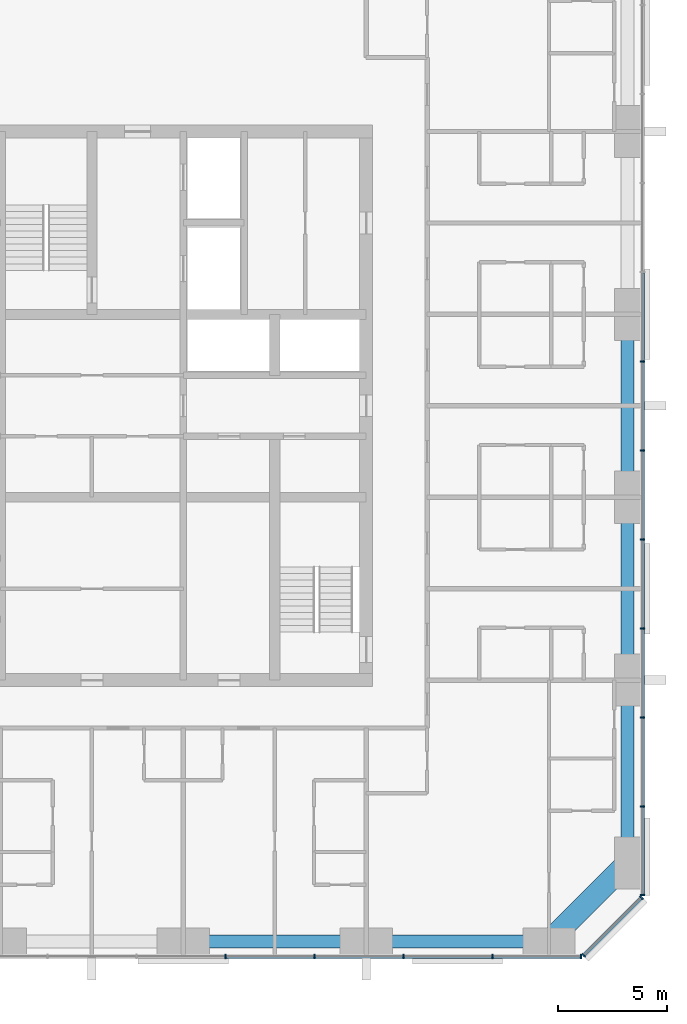
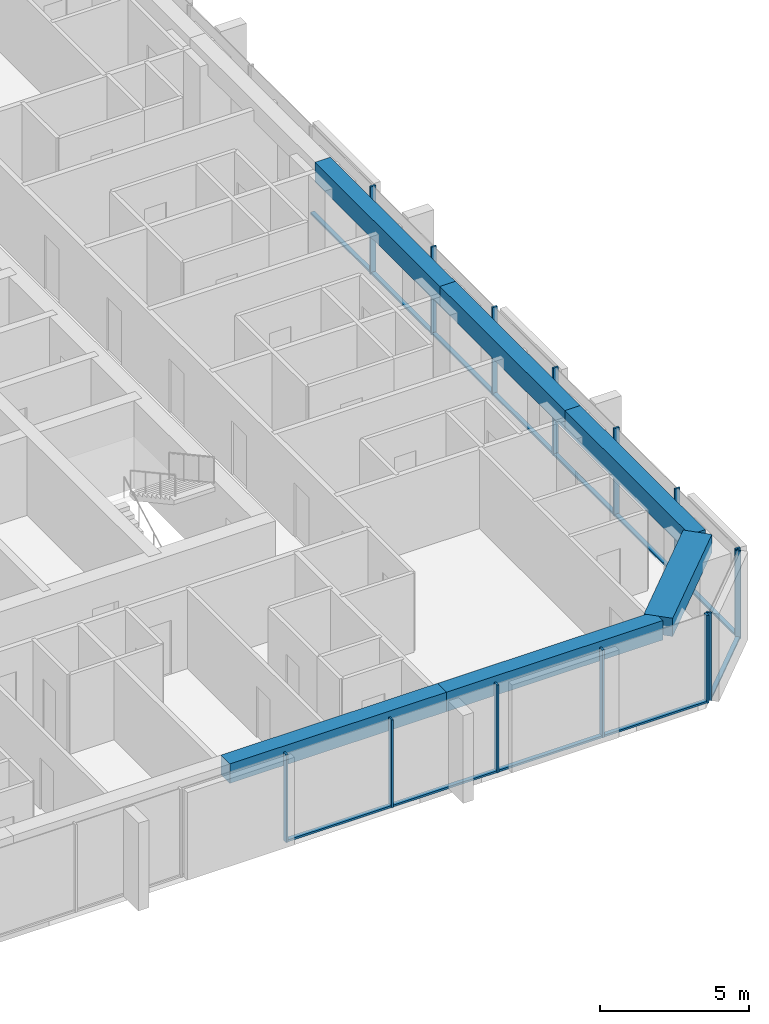
# One storey, part 4 of 14: 26 members, 6 beams, 3 elements without a shape of their own.
"""IFC4 building model written with IfcOpenShell, lengths in metres."""

from ifc_helpers import new_model, si_unit, direction, frame, origin, origin_2d, place, context, subcontext, project, spatial, rectangle, extrude, material, material_profile, profile_set, type_object, element, aggregate, save


model = new_model("IFC4")

# Units and contexts
model_context = context("Model", 3, precision=1e-05, world=origin(), true_north=direction((0.0, 1.0)))
body_context = subcontext(model_context, "Body", "Model", "MODEL_VIEW")
ifc_project = project(units=[si_unit("LENGTHUNIT", "METRE"), si_unit("AREAUNIT", "SQUARE_METRE"), si_unit("VOLUMEUNIT", "CUBIC_METRE"), si_unit("PLANEANGLEUNIT", "RADIAN"), si_unit("MASSUNIT", "GRAM", prefix="KILO")], contexts=[model_context])

# Site, building, storey
site_placement = place(None, origin())
site = spatial("IfcSite", under=ifc_project, at=site_placement, CompositionType="ELEMENT")
building_placement = place(site_placement, origin())
building = spatial("IfcBuilding", under=site, at=building_placement, Name="Dunama Terrace Hotel", CompositionType="ELEMENT")
storey_placement = place(building_placement, frame((0.0, 0.0, 184.199951171875)))
storey = spatial("IfcBuildingStorey", under=building, at=storey_placement, Name="L47", CompositionType="ELEMENT", Elevation=184.199951171875)

# Curtain wall, members
ifc_material_1 = material(Name="Aluminium curtain wall system", Category="aluminium")
curtain_wall_type = type_object("IfcCurtainWallType", Name="Unitised fritted glass wall CW-C", PredefinedType="NOTDEFINED", material=ifc_material_1)
curtain_wall_1_placement = place(storey_placement, origin())
curtain_wall_1 = element("IfcCurtainWall", 1, at=curtain_wall_1_placement, inside=storey, type_object=curtain_wall_type, Name="Unitised fritted glass wall CW-C L47", PredefinedType="NOTDEFINED")
ifc_material_2 = material(Name="Aluminium mullion", Category="aluminium")
ifc_material_profile_1 = material_profile(ifc_material_2, rectangle(XDim=0.070068359375, YDim=0.199951171875, at=origin_2d()), Name="CWC MULLION 70X200")
ifc_profile_set_1 = profile_set([ifc_material_profile_1], Name="Aluminium mullion")
member_type_1 = type_object("IfcMemberType", Name="CWC mullion 70x200", PredefinedType="MULLION", material=ifc_profile_set_1)
member_1_placement = place(storey_placement, frame((35.535888671875, 4.10009765625, 0.0), z_axis=(0.0, 0.0, 1.0), x_axis=(1.0, 0.0, 0.0)))
member_1 = element("IfcMember", 2, at=member_1_placement, type_object=member_type_1, Name="CWC mullion", PredefinedType="MULLION", context=body_context, shape_type="SweptSolid", body=[
    extrude(rectangle(XDim=0.070068359375, YDim=0.199951171875, at=origin_2d()), origin(), (0.0, 0.0, 1.0), 3.60009765625),
])
member_2_placement = place(storey_placement, frame((39.626953125, 4.10009765625, 0.0), z_axis=(0.0, 0.0, 1.0), x_axis=(1.0, 0.0, 0.0)))
member_2 = element("IfcMember", 3, at=member_2_placement, type_object=member_type_1, Name="CWC mullion", PredefinedType="MULLION", context=body_context, shape_type="SweptSolid", body=[
    extrude(rectangle(XDim=0.070068359375, YDim=0.199951171875, at=origin_2d()), origin(), (0.0, 0.0, 1.0), 3.60009765625),
])
member_3_placement = place(storey_placement, frame((43.718017578125, 4.10009765625, 0.0), z_axis=(0.0, 0.0, 1.0), x_axis=(1.0, 0.0, 0.0)))
member_3 = element("IfcMember", 4, at=member_3_placement, type_object=member_type_1, Name="CWC mullion", PredefinedType="MULLION", context=body_context, shape_type="SweptSolid", body=[
    extrude(rectangle(XDim=0.070068359375, YDim=0.199951171875, at=origin_2d()), origin(), (0.0, 0.0, 1.0), 3.60009765625),
])
member_4_placement = place(storey_placement, frame((47.80908203125, 4.10009765625, 0.0), z_axis=(0.0, 0.0, 1.0), x_axis=(1.0, 0.0, 0.0)))
member_4 = element("IfcMember", 5, at=member_4_placement, type_object=member_type_1, Name="CWC mullion", PredefinedType="MULLION", context=body_context, shape_type="SweptSolid", body=[
    extrude(rectangle(XDim=0.070068359375, YDim=0.199951171875, at=origin_2d()), origin(), (0.0, 0.0, 1.0), 3.60009765625),
])
member_5_placement = place(storey_placement, frame((51.864990234375, 4.10009765625, 0.0), z_axis=(0.0, 0.0, 1.0), x_axis=(1.0, 0.0, 0.0)))
member_5 = element("IfcMember", 6, at=member_5_placement, type_object=member_type_1, Name="CWC mullion", PredefinedType="MULLION", context=body_context, shape_type="SweptSolid", body=[
    extrude(rectangle(XDim=0.070068359375, YDim=0.199951171875, at=origin_2d()), origin(), (0.0, 0.0, 1.0), 3.60009765625),
])

curtain_wall_2_placement = place(storey_placement, origin())
curtain_wall_2 = element("IfcCurtainWall", 7, at=curtain_wall_2_placement, inside=storey, type_object=curtain_wall_type, Name="Unitised fritted glass wall CW-C L47", PredefinedType="NOTDEFINED")
member_6_placement = place(storey_placement, frame((51.9951171875, 4.154052734375, 0.0), z_axis=(0.0, 0.0, 1.0), x_axis=(0.707106781187, 0.707106781187, 0.0)))
member_6 = element("IfcMember", 8, at=member_6_placement, type_object=member_type_1, Name="CWC mullion", PredefinedType="MULLION", context=body_context, shape_type="SweptSolid", body=[
    extrude(rectangle(XDim=0.070068359375, YDim=0.199951171875, at=origin_2d()), origin(), (0.0, 0.0, 1.0), 3.60009765625),
])
member_7_placement = place(storey_placement, frame((54.64599609375, 6.804931640625, 0.0), z_axis=(0.0, 0.0, 1.0), x_axis=(0.707106781187, 0.707106781187, 0.0)))
member_7 = element("IfcMember", 9, at=member_7_placement, type_object=member_type_1, Name="CWC mullion", PredefinedType="MULLION", context=body_context, shape_type="SweptSolid", body=[
    extrude(rectangle(XDim=0.070068359375, YDim=0.199951171875, at=origin_2d()), origin(), (0.0, 0.0, 1.0), 3.60009765625),
])

curtain_wall_3_placement = place(storey_placement, origin())
curtain_wall_3 = element("IfcCurtainWall", 10, at=curtain_wall_3_placement, inside=storey, type_object=curtain_wall_type, Name="Unitised fritted glass wall CW-C L47", PredefinedType="NOTDEFINED")
member_8_placement = place(storey_placement, frame((54.699951171875, 6.93505859375, 0.0), z_axis=(0.0, 0.0, 1.0), x_axis=(0.0, 1.0, 0.0)))
member_8 = element("IfcMember", 11, at=member_8_placement, type_object=member_type_1, Name="CWC mullion", PredefinedType="MULLION", context=body_context, shape_type="SweptSolid", body=[
    extrude(rectangle(XDim=0.070068359375, YDim=0.199951171875, at=origin_2d()), origin(), (0.0, 0.0, 1.0), 3.60009765625),
])
member_9_placement = place(storey_placement, frame((54.699951171875, 10.990966796875, 0.0), z_axis=(0.0, 0.0, 1.0), x_axis=(0.0, 1.0, 0.0)))
member_9 = element("IfcMember", 12, at=member_9_placement, type_object=member_type_1, Name="CWC mullion", PredefinedType="MULLION", context=body_context, shape_type="SweptSolid", body=[
    extrude(rectangle(XDim=0.070068359375, YDim=0.199951171875, at=origin_2d()), origin(), (0.0, 0.0, 1.0), 3.60009765625),
])
member_10_placement = place(storey_placement, frame((54.699951171875, 15.08203125, 0.0), z_axis=(0.0, 0.0, 1.0), x_axis=(0.0, 1.0, 0.0)))
member_10 = element("IfcMember", 13, at=member_10_placement, type_object=member_type_1, Name="CWC mullion", PredefinedType="MULLION", context=body_context, shape_type="SweptSolid", body=[
    extrude(rectangle(XDim=0.070068359375, YDim=0.199951171875, at=origin_2d()), origin(), (0.0, 0.0, 1.0), 3.60009765625),
])
member_11_placement = place(storey_placement, frame((54.699951171875, 19.173095703125, 0.0), z_axis=(0.0, 0.0, 1.0), x_axis=(0.0, 1.0, 0.0)))
member_11 = element("IfcMember", 14, at=member_11_placement, type_object=member_type_1, Name="CWC mullion", PredefinedType="MULLION", context=body_context, shape_type="SweptSolid", body=[
    extrude(rectangle(XDim=0.070068359375, YDim=0.199951171875, at=origin_2d()), origin(), (0.0, 0.0, 1.0), 3.60009765625),
])
member_12_placement = place(storey_placement, frame((54.699951171875, 23.263916015625, 0.0), z_axis=(0.0, 0.0, 1.0), x_axis=(0.0, 1.0, 0.0)))
member_12 = element("IfcMember", 15, at=member_12_placement, type_object=member_type_1, Name="CWC mullion", PredefinedType="MULLION", context=body_context, shape_type="SweptSolid", body=[
    extrude(rectangle(XDim=0.070068359375, YDim=0.199951171875, at=origin_2d()), origin(), (0.0, 0.0, 1.0), 3.60009765625),
])
member_13_placement = place(storey_placement, frame((54.699951171875, 27.35498046875, 0.0), z_axis=(0.0, 0.0, 1.0), x_axis=(0.0, 1.0, 0.0)))
member_13 = element("IfcMember", 16, at=member_13_placement, type_object=member_type_1, Name="CWC mullion", PredefinedType="MULLION", context=body_context, shape_type="SweptSolid", body=[
    extrude(rectangle(XDim=0.070068359375, YDim=0.199951171875, at=origin_2d()), origin(), (0.0, 0.0, 1.0), 3.60009765625),
])
member_14_placement = place(storey_placement, frame((54.699951171875, 31.445068359375, 0.0), z_axis=(0.0, 0.0, 1.0), x_axis=(0.0, 1.0, 0.0)))
member_14 = element("IfcMember", 17, at=member_14_placement, type_object=member_type_1, Name="CWC mullion", PredefinedType="MULLION", context=body_context, shape_type="SweptSolid", body=[
    extrude(rectangle(XDim=0.070068359375, YDim=0.199951171875, at=origin_2d()), origin(), (0.0, 0.0, 1.0), 3.60009765625),
])

# Member
ifc_material_3 = material(Name="Aluminium transom", Category="aluminium")
ifc_material_profile_2 = material_profile(ifc_material_3, rectangle(XDim=0.159912109375, YDim=0.080078125, at=origin_2d()), Name="CWC TRANSOM 160X80")
ifc_profile_set_2 = profile_set([ifc_material_profile_2], Name="Aluminium transom")
member_type_2 = type_object("IfcMemberType", Name="CWC transom 160x80", PredefinedType="USERDEFINED", material=ifc_profile_set_2)
member_15_placement = place(storey_placement, frame((35.571044921875, 4.10009765625, 0.0400390625), z_axis=(1.0, 0.0, 0.0), x_axis=(0.0, 1.0, 0.0)))
member_15 = element("IfcMember", 18, at=member_15_placement, type_object=member_type_2, Name="CWC transom", ObjectType="TRANSOM", PredefinedType="USERDEFINED", context=body_context, shape_type="SweptSolid", body=[
    extrude(rectangle(XDim=0.159912109375, YDim=0.080078125, at=origin_2d()), origin(), (0.0, 0.0, 1.0), 4.02099609375),
])

member_16_placement = place(storey_placement, frame((39.662109375, 4.10009765625, 0.0400390625), z_axis=(1.0, 0.0, 0.0), x_axis=(0.0, 1.0, 0.0)))
member_16 = element("IfcMember", 19, at=member_16_placement, type_object=member_type_2, Name="CWC transom", ObjectType="TRANSOM", PredefinedType="USERDEFINED", context=body_context, shape_type="SweptSolid", body=[
    extrude(rectangle(XDim=0.159912109375, YDim=0.080078125, at=origin_2d()), origin(), (0.0, 0.0, 1.0), 4.02099609375),
])

member_17_placement = place(storey_placement, frame((43.7529296875, 4.10009765625, 0.0400390625), z_axis=(1.0, 0.0, 0.0), x_axis=(0.0, 1.0, 0.0)))
member_17 = element("IfcMember", 20, at=member_17_placement, type_object=member_type_2, Name="CWC transom", ObjectType="TRANSOM", PredefinedType="USERDEFINED", context=body_context, shape_type="SweptSolid", body=[
    extrude(rectangle(XDim=0.159912109375, YDim=0.080078125, at=origin_2d()), origin(), (0.0, 0.0, 1.0), 4.02099609375),
])

member_18_placement = place(storey_placement, frame((47.843994140625, 4.10009765625, 0.0400390625), z_axis=(1.0, 0.0, 0.0), x_axis=(0.0, 1.0, 0.0)))
member_18 = element("IfcMember", 21, at=member_18_placement, type_object=member_type_2, Name="CWC transom", ObjectType="TRANSOM", PredefinedType="USERDEFINED", context=body_context, shape_type="SweptSolid", body=[
    extrude(rectangle(XDim=0.159912109375, YDim=0.080078125, at=origin_2d()), origin(), (0.0, 0.0, 1.0), 3.986083984375),
])

aggregate(curtain_wall_1, [member_1, member_2, member_3, member_4, member_5, member_15, member_16, member_17, member_18])

member_19_placement = place(storey_placement, frame((52.02001953125, 4.178955078125, 0.0400390625), z_axis=(0.707106781187, 0.707106781187, 0.0), x_axis=(-0.707106781187, 0.707106781187, 0.0)))
member_19 = element("IfcMember", 22, at=member_19_placement, type_object=member_type_2, Name="CWC transom", ObjectType="TRANSOM", PredefinedType="USERDEFINED", context=body_context, shape_type="SweptSolid", body=[
    extrude(rectangle(XDim=0.159912109375, YDim=0.080078125, at=origin_2d()), origin(), (0.0, 0.0, 1.0), 3.678466796875),
])

aggregate(curtain_wall_2, [member_6, member_7, member_19])

member_20_placement = place(storey_placement, frame((54.699951171875, 6.969970703125, 0.0400390625), z_axis=(0.0, 1.0, 0.0), x_axis=(-1.0, 0.0, 0.0)))
member_20 = element("IfcMember", 23, at=member_20_placement, type_object=member_type_2, Name="CWC transom", ObjectType="TRANSOM", PredefinedType="USERDEFINED", context=body_context, shape_type="SweptSolid", body=[
    extrude(rectangle(XDim=0.159912109375, YDim=0.080078125, at=origin_2d()), origin(), (0.0, 0.0, 1.0), 3.986083984375),
])

member_21_placement = place(storey_placement, frame((54.699951171875, 11.02587890625, 0.0400390625), z_axis=(0.0, 1.0, 0.0), x_axis=(-1.0, 0.0, 0.0)))
member_21 = element("IfcMember", 24, at=member_21_placement, type_object=member_type_2, Name="CWC transom", ObjectType="TRANSOM", PredefinedType="USERDEFINED", context=body_context, shape_type="SweptSolid", body=[
    extrude(rectangle(XDim=0.159912109375, YDim=0.080078125, at=origin_2d()), origin(), (0.0, 0.0, 1.0), 4.021240234375),
])

member_22_placement = place(storey_placement, frame((54.699951171875, 15.116943359375, 0.0400390625), z_axis=(0.0, 1.0, 0.0), x_axis=(-1.0, 0.0, 0.0)))
member_22 = element("IfcMember", 25, at=member_22_placement, type_object=member_type_2, Name="CWC transom", ObjectType="TRANSOM", PredefinedType="USERDEFINED", context=body_context, shape_type="SweptSolid", body=[
    extrude(rectangle(XDim=0.159912109375, YDim=0.080078125, at=origin_2d()), origin(), (0.0, 0.0, 1.0), 4.02099609375),
])

member_23_placement = place(storey_placement, frame((54.699951171875, 19.2080078125, 0.0400390625), z_axis=(0.0, 1.0, 0.0), x_axis=(-1.0, 0.0, 0.0)))
member_23 = element("IfcMember", 26, at=member_23_placement, type_object=member_type_2, Name="CWC transom", ObjectType="TRANSOM", PredefinedType="USERDEFINED", context=body_context, shape_type="SweptSolid", body=[
    extrude(rectangle(XDim=0.159912109375, YDim=0.080078125, at=origin_2d()), origin(), (0.0, 0.0, 1.0), 4.02099609375),
])

member_24_placement = place(storey_placement, frame((54.699951171875, 23.299072265625, 0.0400390625), z_axis=(0.0, 1.0, 0.0), x_axis=(-1.0, 0.0, 0.0)))
member_24 = element("IfcMember", 27, at=member_24_placement, type_object=member_type_2, Name="CWC transom", ObjectType="TRANSOM", PredefinedType="USERDEFINED", context=body_context, shape_type="SweptSolid", body=[
    extrude(rectangle(XDim=0.159912109375, YDim=0.080078125, at=origin_2d()), origin(), (0.0, 0.0, 1.0), 4.02099609375),
])

member_25_placement = place(storey_placement, frame((54.699951171875, 27.389892578125, 0.0400390625), z_axis=(0.0, 1.0, 0.0), x_axis=(-1.0, 0.0, 0.0)))
member_25 = element("IfcMember", 28, at=member_25_placement, type_object=member_type_2, Name="CWC transom", ObjectType="TRANSOM", PredefinedType="USERDEFINED", context=body_context, shape_type="SweptSolid", body=[
    extrude(rectangle(XDim=0.159912109375, YDim=0.080078125, at=origin_2d()), origin(), (0.0, 0.0, 1.0), 4.02001953125),
])

member_26_placement = place(storey_placement, frame((54.699951171875, 31.47998046875, 0.0400390625), z_axis=(0.0, 1.0, 0.0), x_axis=(-1.0, 0.0, 0.0)))
member_26 = element("IfcMember", 29, at=member_26_placement, type_object=member_type_2, Name="CWC transom", ObjectType="TRANSOM", PredefinedType="USERDEFINED", context=body_context, shape_type="SweptSolid", body=[
    extrude(rectangle(XDim=0.159912109375, YDim=0.080078125, at=origin_2d()), origin(), (0.0, 0.0, 1.0), 4.02099609375),
])

aggregate(curtain_wall_3, [member_8, member_9, member_10, member_11, member_12, member_13, member_14, member_20, member_21, member_22, member_23, member_24, member_25, member_26])

# Beams
ifc_material_4 = material(Name="Concrete C50/60", Category="concrete")
ifc_material_profile_3 = material_profile(ifc_material_4, rectangle(XDim=1.0, YDim=0.75, at=origin_2d()), Name="RC 1000x750")
ifc_profile_set_3 = profile_set([ifc_material_profile_3], Name="Concrete C50/60")
beam_type_1 = type_object("IfcBeamType", Name="Edge beam RC 1000x750", PredefinedType="SPANDREL", material=ifc_profile_set_3)
beam_1_placement = place(storey_placement, frame((50.39990234375, 4.800048828125, 3.22509765625), z_axis=(0.707130757816, 0.707082803744, 0.0), x_axis=(-0.707082803744, 0.707130757816, 0.0)))
element("IfcBeam", 30, at=beam_1_placement, inside=storey, type_object=beam_type_1, Name="Corner edge beam under L48", PredefinedType="SPANDREL", context=body_context, shape_type="SweptSolid", body=[
    extrude(rectangle(XDim=1.0, YDim=0.75, at=origin_2d()), origin(), (0.0, 0.0, 1.0), 5.091064453125),
])
ifc_material_5 = material(Name="Concrete C40/50", Category="concrete")
ifc_material_profile_4 = material_profile(ifc_material_5, rectangle(XDim=0.60009765625, YDim=0.800048828125, at=origin_2d()), Name="RC 600x800")
ifc_profile_set_4 = profile_set([ifc_material_profile_4], Name="Concrete C40/50")
beam_type_2 = type_object("IfcBeamType", Name="Edge beam RC 600x800", PredefinedType="SPANDREL", material=ifc_profile_set_4)
beam_2_placement = place(storey_placement, frame((54.0, 8.39990234375, 3.199951171875), z_axis=(0.0, 1.0, 0.0), x_axis=(-1.0, 0.0, 0.0)))
element("IfcBeam", 31, at=beam_2_placement, inside=storey, type_object=beam_type_2, Name="Edge beam under L48", PredefinedType="SPANDREL", context=body_context, shape_type="SweptSolid", body=[
    extrude(rectangle(XDim=0.60009765625, YDim=0.800048828125, at=origin_2d()), origin(), (0.0, 0.0, 1.0), 8.400146484375),
])
beam_3_placement = place(storey_placement, frame((54.0, 16.800048828125, 3.199951171875), z_axis=(0.0, 1.0, 0.0), x_axis=(-1.0, 0.0, 0.0)))
element("IfcBeam", 32, at=beam_3_placement, inside=storey, type_object=beam_type_2, Name="Edge beam under L48", PredefinedType="SPANDREL", context=body_context, shape_type="SweptSolid", body=[
    extrude(rectangle(XDim=0.60009765625, YDim=0.800048828125, at=origin_2d()), origin(), (0.0, 0.0, 1.0), 8.39990234375),
])
beam_4_placement = place(storey_placement, frame((54.0, 25.199951171875, 3.199951171875), z_axis=(0.0, 1.0, 0.0), x_axis=(-1.0, 0.0, 0.0)))
element("IfcBeam", 33, at=beam_4_placement, inside=storey, type_object=beam_type_2, Name="Edge beam under L48", PredefinedType="SPANDREL", context=body_context, shape_type="SweptSolid", body=[
    extrude(rectangle(XDim=0.60009765625, YDim=0.800048828125, at=origin_2d()), origin(), (0.0, 0.0, 1.0), 8.400146484375),
])
for number, where, z_axis, x_axis, name in (
    (34, (33.60009765625, 4.800048828125, 3.199951171875), (1.0, 0.0, 0.0), (0.0, 1.0, 0.0), "Edge beam under L48"),
    (35, (42.0, 4.800048828125, 3.199951171875), (1.0, 0.0, 0.0), (0.0, 1.0, 0.0), "Edge beam under L48"),
):
    element("IfcBeam", number, at=place(storey_placement, frame(where, z_axis=z_axis, x_axis=x_axis)), inside=storey, type_object=beam_type_2, Name=name, PredefinedType="SPANDREL", context=body_context, shape_type="SweptSolid", body=[
        extrude(rectangle(XDim=0.60009765625, YDim=0.800048828125, at=origin_2d()), origin(), (0.0, 0.0, 1.0), 8.39990234375),
    ])

save(model, "model.ifc")
